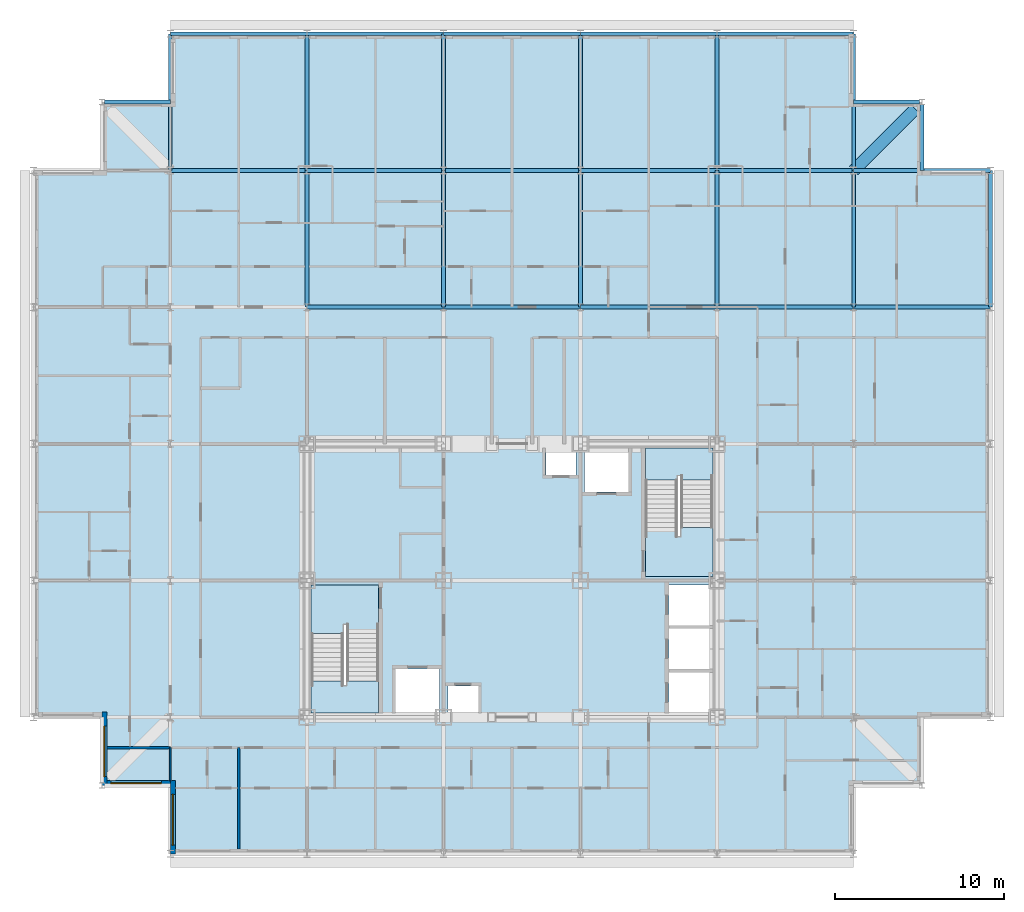
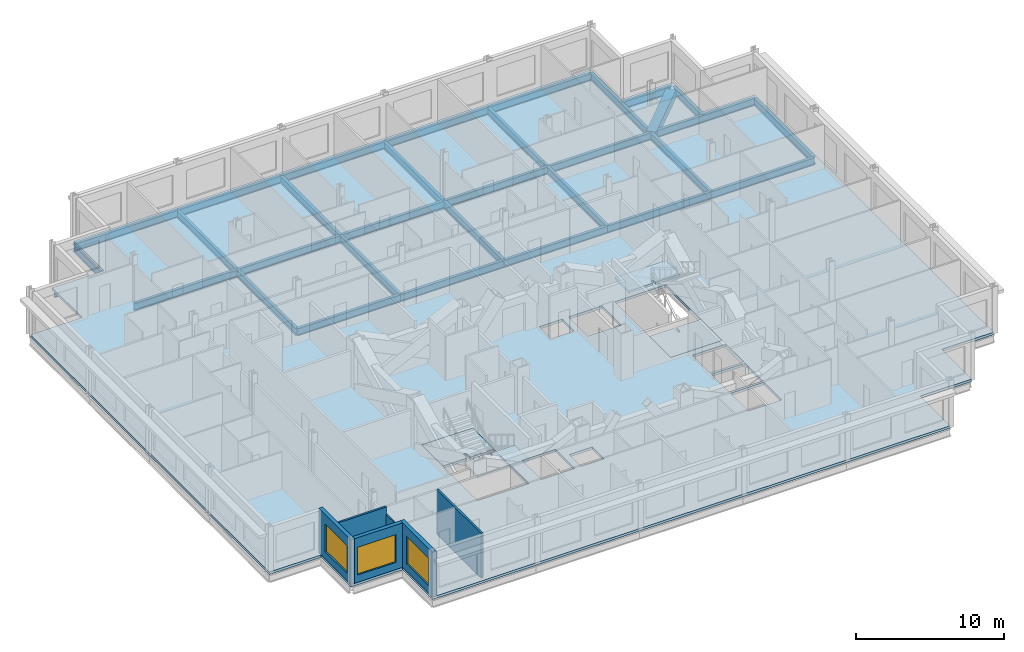
# One storey, part 6 of 16: 32 beams, 6 walls, 5 slabs, 3 windows, 3 openings, 2 elements without a shape of their own.
"""IFC4 building model written with IfcOpenShell, lengths in metres."""

from ifc_helpers import new_model, si_unit, direction, frame, frame_2d, origin, origin_2d, place, context, subcontext, project, spatial, polyline, rectangle, hollow_rectangle, i_section, outline, extrude, material, layer, layer_set, material_profile, profile_set, type_object, element, fill, aggregate, save


model = new_model("IFC4")

# Units and contexts
model_context = context("Model", 3, precision=1e-05, world=origin(), true_north=direction((0.0, 1.0)))
body_context = subcontext(model_context, "Body", "Model", "MODEL_VIEW")
ifc_project = project(units=[si_unit("LENGTHUNIT", "METRE"), si_unit("AREAUNIT", "SQUARE_METRE"), si_unit("VOLUMEUNIT", "CUBIC_METRE"), si_unit("PLANEANGLEUNIT", "RADIAN"), si_unit("MASSUNIT", "GRAM", prefix="KILO")], contexts=[model_context])

# Site, building, storey
site_placement = place(None, origin())
site = spatial("IfcSite", under=ifc_project, at=site_placement, CompositionType="ELEMENT")
building_placement = place(site_placement, origin())
building = spatial("IfcBuilding", under=site, at=building_placement, Name="Kopane Lantern Tower", CompositionType="ELEMENT")
storey_placement = place(building_placement, frame((0.0, 0.0, 261.89990234375)))
storey = spatial("IfcBuildingStorey", under=building, at=storey_placement, Name="L67", CompositionType="ELEMENT", Elevation=261.89990234375)

# Beams
ifc_material_1 = material(Name="Steel S355JR", Category="steel")
ifc_material_profile_1 = material_profile(ifc_material_1, hollow_rectangle(XDim=0.699951171875, YDim=0.699951171875, WallThickness=0.06005859375, at=origin_2d()), Name="BOX 700x700x60")
ifc_profile_set_1 = profile_set([ifc_material_profile_1], Name="Steel S355JR")
beam_type_1 = type_object("IfcBeamType", Name="CORNER TIE BEAM BOX 700x700x60", PredefinedType="BEAM", material=ifc_profile_set_1)
beam_1_placement = place(storey_placement, frame((52.25244140625, 60.3525390625, -0.559814453125), z_axis=(-0.707083148333, -0.70713041325, 0.0), x_axis=(0.70713041325, -0.707083148333, 0.0)))
element("IfcBeam", 1, at=beam_1_placement, inside=storey, type_object=beam_type_1, Name="Corner Tie Beam L67", PredefinedType="BEAM", context=body_context, shape_type="SweptSolid", body=[
    extrude(hollow_rectangle(XDim=0.699951171875, YDim=0.699951171875, WallThickness=0.06005859375, at=origin_2d()), origin(), (0.0, 0.0, 1.0), 5.165283203125),
])
ifc_material_2 = material(Name="Steel S355JR", Category="steel")
ifc_material_profile_2 = material_profile(ifc_material_2, i_section(OverallWidth=0.22900390625, OverallDepth=0.6123046875, WebThickness=0.011962890625, FlangeThickness=0.01953125, FilletRadius=0.0126953125, at=origin_2d()), Name="UB 610x229x125")
ifc_profile_set_2 = profile_set([ifc_material_profile_2], Name="Steel S355JR")
beam_type_2 = type_object("IfcBeamType", Name="EDGE BEAM UB 610x229x125", PredefinedType="BEAM", material=ifc_profile_set_2)
beam_2_placement = place(storey_placement, frame((4.20361328125, 60.75, -0.51611328125), z_axis=(1.0, 0.0, 0.0), x_axis=(0.0, 1.0, 0.0)))
element("IfcBeam", 2, at=beam_2_placement, inside=storey, type_object=beam_type_2, Name="Edge Beam L67", PredefinedType="BEAM", context=body_context, shape_type="SweptSolid", body=[
    extrude(i_section(OverallWidth=0.22900390625, OverallDepth=0.6123046875, WebThickness=0.011962890625, FlangeThickness=0.01953125, FilletRadius=0.0126953125, at=origin_2d()), origin(), (0.0, 0.0, 1.0), 3.896484375),
])
for number, where, z_axis, x_axis, name in (
    (3, (52.496337890625, 60.75, -0.51611328125), (-1.0, 0.0, 0.0), (0.0, -1.0, 0.0), "Edge Beam L67"),
    (4, (52.64990234375, 60.59619140625, -0.51611328125), (0.0, -1.0, 0.0), (1.0, 0.0, 0.0), "Edge Beam L67"),
):
    element("IfcBeam", number, at=place(storey_placement, frame(where, z_axis=z_axis, x_axis=x_axis)), inside=storey, type_object=beam_type_2, Name=name, PredefinedType="BEAM", context=body_context, shape_type="SweptSolid", body=[
        extrude(i_section(OverallWidth=0.22900390625, OverallDepth=0.6123046875, WebThickness=0.011962890625, FlangeThickness=0.01953125, FilletRadius=0.0126953125, at=origin_2d()), origin(), (0.0, 0.0, 1.0), 3.896240234375),
    ])
ifc_material_3 = material(Name="Steel S355JR", Category="steel")
ifc_material_profile_3 = material_profile(ifc_material_3, i_section(OverallWidth=0.22900390625, OverallDepth=0.6123046875, WebThickness=0.011962890625, FlangeThickness=0.01953125, FilletRadius=0.0126953125, at=origin_2d()), Name="UB 610x229x125")
ifc_profile_set_3 = profile_set([ifc_material_profile_3], Name="Steel S355JR")
beam_type_3 = type_object("IfcBeamType", Name="GIRDER UB 610x229x125", PredefinedType="BEAM", material=ifc_profile_set_3)
beam_3_placement = place(storey_placement, frame((8.10009765625, 56.699951171875, -0.51611328125), z_axis=(0.0, 1.0, 0.0), x_axis=(-1.0, 0.0, 0.0)))
element("IfcBeam", 5, at=beam_3_placement, inside=storey, type_object=beam_type_3, Name="Girder L67", PredefinedType="BEAM", context=body_context, shape_type="SweptSolid", body=[
    extrude(i_section(OverallWidth=0.22900390625, OverallDepth=0.6123046875, WebThickness=0.011962890625, FlangeThickness=0.01953125, FilletRadius=0.0126953125, at=origin_2d()), origin(), (0.0, 0.0, 1.0), 8.10009765625),
])
for number, where, z_axis, x_axis, name in (
    (6, (8.10009765625, 56.699951171875, -0.51611328125), (1.0, 0.0, 0.0), (0.0, 1.0, 0.0), "Girder L67"),
    (7, (8.10009765625, 64.800048828125, -0.51611328125), (1.0, 0.0, 0.0), (0.0, 1.0, 0.0), "Girder L67"),
    (8, (16.199951171875, 48.60009765625, -0.51611328125), (0.0, 1.0, 0.0), (-1.0, 0.0, 0.0), "Girder L67"),
):
    element("IfcBeam", number, at=place(storey_placement, frame(where, z_axis=z_axis, x_axis=x_axis)), inside=storey, type_object=beam_type_3, Name=name, PredefinedType="BEAM", context=body_context, shape_type="SweptSolid", body=[
        extrude(i_section(OverallWidth=0.22900390625, OverallDepth=0.6123046875, WebThickness=0.011962890625, FlangeThickness=0.01953125, FilletRadius=0.0126953125, at=origin_2d()), origin(), (0.0, 0.0, 1.0), 8.099853515625),
    ])
for number, where, z_axis, x_axis, name in (
    (9, (16.199951171875, 48.60009765625, -0.51611328125), (1.0, 0.0, 0.0), (0.0, 1.0, 0.0), "Girder L67"),
    (10, (16.199951171875, 56.699951171875, -0.51611328125), (0.0, 1.0, 0.0), (-1.0, 0.0, 0.0), "Girder L67"),
    (11, (16.199951171875, 56.699951171875, -0.51611328125), (1.0, 0.0, 0.0), (0.0, 1.0, 0.0), "Girder L67"),
    (12, (16.199951171875, 64.800048828125, -0.51611328125), (1.0, 0.0, 0.0), (0.0, 1.0, 0.0), "Girder L67"),
):
    element("IfcBeam", number, at=place(storey_placement, frame(where, z_axis=z_axis, x_axis=x_axis)), inside=storey, type_object=beam_type_3, Name=name, PredefinedType="BEAM", context=body_context, shape_type="SweptSolid", body=[
        extrude(i_section(OverallWidth=0.22900390625, OverallDepth=0.6123046875, WebThickness=0.011962890625, FlangeThickness=0.01953125, FilletRadius=0.0126953125, at=origin_2d()), origin(), (0.0, 0.0, 1.0), 8.10009765625),
    ])
for number, where, z_axis, x_axis, name in (
    (13, (24.300048828125, 48.60009765625, -0.51611328125), (0.0, 1.0, 0.0), (-1.0, 0.0, 0.0), "Girder L67"),
    (14, (24.300048828125, 48.60009765625, -0.51611328125), (1.0, 0.0, 0.0), (0.0, 1.0, 0.0), "Girder L67"),
):
    element("IfcBeam", number, at=place(storey_placement, frame(where, z_axis=z_axis, x_axis=x_axis)), inside=storey, type_object=beam_type_3, Name=name, PredefinedType="BEAM", context=body_context, shape_type="SweptSolid", body=[
        extrude(i_section(OverallWidth=0.22900390625, OverallDepth=0.6123046875, WebThickness=0.011962890625, FlangeThickness=0.01953125, FilletRadius=0.0126953125, at=origin_2d()), origin(), (0.0, 0.0, 1.0), 8.099853515625),
    ])
beam_4_placement = place(storey_placement, frame((24.300048828125, 56.699951171875, -0.51611328125), z_axis=(0.0, 1.0, 0.0), x_axis=(-1.0, 0.0, 0.0)))
element("IfcBeam", 15, at=beam_4_placement, inside=storey, type_object=beam_type_3, Name="Girder L67", PredefinedType="BEAM", context=body_context, shape_type="SweptSolid", body=[
    extrude(i_section(OverallWidth=0.22900390625, OverallDepth=0.6123046875, WebThickness=0.011962890625, FlangeThickness=0.01953125, FilletRadius=0.0126953125, at=origin_2d()), origin(), (0.0, 0.0, 1.0), 8.10009765625),
])
for number, where, z_axis, x_axis, name in (
    (16, (24.300048828125, 56.699951171875, -0.51611328125), (1.0, 0.0, 0.0), (0.0, 1.0, 0.0), "Girder L67"),
    (17, (24.300048828125, 64.800048828125, -0.51611328125), (1.0, 0.0, 0.0), (0.0, 1.0, 0.0), "Girder L67"),
    (18, (32.39990234375, 48.60009765625, -0.51611328125), (0.0, 1.0, 0.0), (-1.0, 0.0, 0.0), "Girder L67"),
):
    element("IfcBeam", number, at=place(storey_placement, frame(where, z_axis=z_axis, x_axis=x_axis)), inside=storey, type_object=beam_type_3, Name=name, PredefinedType="BEAM", context=body_context, shape_type="SweptSolid", body=[
        extrude(i_section(OverallWidth=0.22900390625, OverallDepth=0.6123046875, WebThickness=0.011962890625, FlangeThickness=0.01953125, FilletRadius=0.0126953125, at=origin_2d()), origin(), (0.0, 0.0, 1.0), 8.099853515625),
    ])
for number, where, z_axis, x_axis, name in (
    (19, (32.39990234375, 48.60009765625, -0.51611328125), (1.0, 0.0, 0.0), (0.0, 1.0, 0.0), "Girder L67"),
    (20, (32.39990234375, 56.699951171875, -0.51611328125), (0.0, 1.0, 0.0), (-1.0, 0.0, 0.0), "Girder L67"),
    (21, (32.39990234375, 56.699951171875, -0.51611328125), (1.0, 0.0, 0.0), (0.0, 1.0, 0.0), "Girder L67"),
    (22, (32.39990234375, 64.800048828125, -0.51611328125), (1.0, 0.0, 0.0), (0.0, 1.0, 0.0), "Girder L67"),
):
    element("IfcBeam", number, at=place(storey_placement, frame(where, z_axis=z_axis, x_axis=x_axis)), inside=storey, type_object=beam_type_3, Name=name, PredefinedType="BEAM", context=body_context, shape_type="SweptSolid", body=[
        extrude(i_section(OverallWidth=0.22900390625, OverallDepth=0.6123046875, WebThickness=0.011962890625, FlangeThickness=0.01953125, FilletRadius=0.0126953125, at=origin_2d()), origin(), (0.0, 0.0, 1.0), 8.10009765625),
    ])
beam_5_placement = place(storey_placement, frame((40.5, 48.60009765625, -0.51611328125), z_axis=(0.0, 1.0, 0.0), x_axis=(-1.0, 0.0, 0.0)))
element("IfcBeam", 23, at=beam_5_placement, inside=storey, type_object=beam_type_3, Name="Girder L67", PredefinedType="BEAM", context=body_context, shape_type="SweptSolid", body=[
    extrude(i_section(OverallWidth=0.22900390625, OverallDepth=0.6123046875, WebThickness=0.011962890625, FlangeThickness=0.01953125, FilletRadius=0.0126953125, at=origin_2d()), origin(), (0.0, 0.0, 1.0), 8.099853515625),
])
for number, where, z_axis, x_axis, name in (
    (24, (40.5, 48.60009765625, -0.51611328125), (1.0, 0.0, 0.0), (0.0, 1.0, 0.0), "Girder L67"),
    (25, (40.5, 56.699951171875, -0.51611328125), (0.0, 1.0, 0.0), (-1.0, 0.0, 0.0), "Girder L67"),
    (26, (40.5, 56.699951171875, -0.51611328125), (1.0, 0.0, 0.0), (0.0, 1.0, 0.0), "Girder L67"),
    (27, (40.5, 64.800048828125, -0.51611328125), (1.0, 0.0, 0.0), (0.0, 1.0, 0.0), "Girder L67"),
):
    element("IfcBeam", number, at=place(storey_placement, frame(where, z_axis=z_axis, x_axis=x_axis)), inside=storey, type_object=beam_type_3, Name=name, PredefinedType="BEAM", context=body_context, shape_type="SweptSolid", body=[
        extrude(i_section(OverallWidth=0.22900390625, OverallDepth=0.6123046875, WebThickness=0.011962890625, FlangeThickness=0.01953125, FilletRadius=0.0126953125, at=origin_2d()), origin(), (0.0, 0.0, 1.0), 8.10009765625),
    ])
for number, where, z_axis, x_axis, name in (
    (28, (48.60009765625, 48.60009765625, -0.51611328125), (0.0, 1.0, 0.0), (-1.0, 0.0, 0.0), "Girder L67"),
    (29, (48.60009765625, 48.60009765625, -0.51611328125), (1.0, 0.0, 0.0), (0.0, 1.0, 0.0), "Girder L67"),
):
    element("IfcBeam", number, at=place(storey_placement, frame(where, z_axis=z_axis, x_axis=x_axis)), inside=storey, type_object=beam_type_3, Name=name, PredefinedType="BEAM", context=body_context, shape_type="SweptSolid", body=[
        extrude(i_section(OverallWidth=0.22900390625, OverallDepth=0.6123046875, WebThickness=0.011962890625, FlangeThickness=0.01953125, FilletRadius=0.0126953125, at=origin_2d()), origin(), (0.0, 0.0, 1.0), 8.099853515625),
    ])
beam_6_placement = place(storey_placement, frame((48.60009765625, 56.699951171875, -0.51611328125), z_axis=(0.0, 1.0, 0.0), x_axis=(-1.0, 0.0, 0.0)))
element("IfcBeam", 30, at=beam_6_placement, inside=storey, type_object=beam_type_3, Name="Girder L67", PredefinedType="BEAM", context=body_context, shape_type="SweptSolid", body=[
    extrude(i_section(OverallWidth=0.22900390625, OverallDepth=0.6123046875, WebThickness=0.011962890625, FlangeThickness=0.01953125, FilletRadius=0.0126953125, at=origin_2d()), origin(), (0.0, 0.0, 1.0), 8.10009765625),
])
for number, where, z_axis, x_axis, name in (
    (31, (48.60009765625, 56.699951171875, -0.51611328125), (1.0, 0.0, 0.0), (0.0, 1.0, 0.0), "Girder L67"),
    (32, (56.699951171875, 48.60009765625, -0.51611328125), (0.0, 1.0, 0.0), (-1.0, 0.0, 0.0), "Girder L67"),
):
    element("IfcBeam", number, at=place(storey_placement, frame(where, z_axis=z_axis, x_axis=x_axis)), inside=storey, type_object=beam_type_3, Name=name, PredefinedType="BEAM", context=body_context, shape_type="SweptSolid", body=[
        extrude(i_section(OverallWidth=0.22900390625, OverallDepth=0.6123046875, WebThickness=0.011962890625, FlangeThickness=0.01953125, FilletRadius=0.0126953125, at=origin_2d()), origin(), (0.0, 0.0, 1.0), 8.099853515625),
    ])

# Slab
ifc_material_4 = material(Name="Concrete C40/50", Category="concrete")
ifc_layer_1 = layer(ifc_material_4, 0.2099609375)
ifc_layer_set_1 = layer_set([ifc_layer_1], Name="SLAB 210 COMPOSITE")
slab_type_1 = type_object("IfcSlabType", Name="SLAB 210 COMPOSITE", PredefinedType="FLOOR", material=ifc_layer_set_1)
slab_1_placement = place(storey_placement, frame((0.0, 0.0, -0.2099609375)))
element("IfcSlab", 33, at=slab_1_placement, inside=storey, type_object=slab_type_1, Name="Floor slab L67", PredefinedType="FLOOR", context=body_context, shape_type="SweptSolid", body=[
    extrude(outline(polyline([(8.10009765625, 16.199951171875), (48.60009765625, 16.199951171875), (48.60009765625, 20.25), (52.64990234375, 20.25), (52.64990234375, 24.300048828125), (56.699951171875, 24.300048828125), (56.699951171875, 56.699951171875), (52.64990234375, 56.699951171875), (52.64990234375, 60.75), (48.60009765625, 60.75), (48.60009765625, 64.800048828125), (8.10009765625, 64.800048828125), (8.10009765625, 60.75), (4.050048828125, 60.75), (4.050048828125, 56.699951171875), (0.0, 56.699951171875), (0.0, 24.300048828125), (4.050048828125, 24.300048828125), (4.050048828125, 20.25), (8.10009765625, 20.25), (8.10009765625, 16.199951171875)]), holes=[polyline([(16.449951171875, 24.550048828125), (20.449951171875, 24.550048828125), (20.449951171875, 32.14990234375), (16.449951171875, 32.14990234375), (16.449951171875, 24.550048828125)]), polyline([(36.25, 32.64990234375), (40.25, 32.64990234375), (40.25, 40.25), (36.25, 40.25), (36.25, 32.64990234375)]), polyline([(37.64990234375, 24.550048828125), (40.25, 24.550048828125), (40.25, 26.949951171875), (37.64990234375, 26.949951171875), (37.64990234375, 24.550048828125)]), polyline([(37.64990234375, 27.14990234375), (40.25, 27.14990234375), (40.25, 29.550048828125), (37.64990234375, 29.550048828125), (37.64990234375, 27.14990234375)]), polyline([(37.64990234375, 29.75), (40.25, 29.75), (40.25, 32.14990234375), (37.64990234375, 32.14990234375), (37.64990234375, 29.75)]), polyline([(21.449951171875, 24.550048828125), (24.050048828125, 24.550048828125), (24.050048828125, 27.14990234375), (21.449951171875, 27.14990234375), (21.449951171875, 24.550048828125)]), polyline([(32.64990234375, 37.64990234375), (35.25, 37.64990234375), (35.25, 40.25), (32.64990234375, 40.25), (32.64990234375, 37.64990234375)]), polyline([(24.550048828125, 24.550048828125), (26.35009765625, 24.550048828125), (26.35009765625, 26.14990234375), (24.550048828125, 26.14990234375), (24.550048828125, 24.550048828125)]), polyline([(30.35009765625, 38.64990234375), (32.14990234375, 38.64990234375), (32.14990234375, 40.25), (30.35009765625, 40.25), (30.35009765625, 38.64990234375)])]), origin(), (0.0, 0.0, 1.0), 0.2099609375),
])

# Stair, slabs
ifc_material_5 = material(Name="Steel S355JR", Category="steel")
stair_type = type_object("IfcStairType", Name="EXIT STAIR 1900 HALF TURN", PredefinedType="HALF_TURN_STAIR", material=ifc_material_5)
stair_1_placement = place(storey_placement, origin())
stair_1 = element("IfcStair", 34, at=stair_1_placement, inside=storey, type_object=stair_type, Name="Exit stair ST1 L67", PredefinedType="HALF_TURN_STAIR")
ifc_material_6 = material(Name="Concrete C40/50", Category="concrete")
ifc_layer_2 = layer(ifc_material_6, 0.199951171875)
ifc_layer_set_2 = layer_set([ifc_layer_2], Name="STAIR LANDING 200")
slab_type_2 = type_object("IfcSlabType", Name="STAIR LANDING 200", PredefinedType="LANDING", material=ifc_layer_set_2)
slab_2_placement = place(storey_placement, frame((0.0, 0.0, -0.199951171875)))
slab_2 = element("IfcSlab", 35, at=slab_2_placement, type_object=slab_type_2, Name="ST1 landing 1", PredefinedType="LANDING", context=body_context, shape_type="SweptSolid", body=[
    extrude(outline(polyline([(18.35009765625, 29.81005859375), (18.550048828125, 29.81005859375), (18.550048828125, 29.25), (20.449951171875, 29.25), (20.449951171875, 32.14990234375), (16.449951171875, 32.14990234375), (16.449951171875, 29.25), (18.35009765625, 29.25), (18.35009765625, 29.81005859375)])), origin(), (0.0, 0.0, 1.0), 0.199951171875),
])
slab_3_placement = place(storey_placement, frame((0.0, 0.0, 1.8349609375)))
slab_3 = element("IfcSlab", 36, at=slab_3_placement, type_object=slab_type_2, Name="ST1 landing 2", PredefinedType="LANDING", context=body_context, shape_type="SweptSolid", body=[
    extrude(outline(polyline([(20.449951171875, 26.449951171875), (18.550048828125, 26.449951171875), (18.550048828125, 26.169921875), (18.35009765625, 26.169921875), (18.35009765625, 26.449951171875), (16.449951171875, 26.449951171875), (16.449951171875, 24.550048828125), (20.449951171875, 24.550048828125), (20.449951171875, 26.449951171875)])), origin(), (0.0, 0.0, 1.0), 0.199951171875),
])
aggregate(stair_1, [slab_2, slab_3])

stair_2_placement = place(storey_placement, origin())
stair_2 = element("IfcStair", 37, at=stair_2_placement, inside=storey, type_object=stair_type, Name="Exit stair ST2 L67", PredefinedType="HALF_TURN_STAIR")
slab_4_placement = place(storey_placement, frame((0.0, 0.0, -0.199951171875)))
slab_4 = element("IfcSlab", 38, at=slab_4_placement, type_object=slab_type_2, Name="ST2 landing 1", PredefinedType="LANDING", context=body_context, shape_type="SweptSolid", body=[
    extrude(outline(polyline([(40.25, 35.550048828125), (38.35009765625, 35.550048828125), (38.35009765625, 34.989990234375), (38.14990234375, 34.989990234375), (38.14990234375, 35.550048828125), (36.25, 35.550048828125), (36.25, 32.64990234375), (40.25, 32.64990234375), (40.25, 35.550048828125)])), origin(), (0.0, 0.0, 1.0), 0.199951171875),
])
slab_5_placement = place(storey_placement, frame((0.0, 0.0, 1.8349609375)))
slab_5 = element("IfcSlab", 39, at=slab_5_placement, type_object=slab_type_2, Name="ST2 landing 2", PredefinedType="LANDING", context=body_context, shape_type="SweptSolid", body=[
    extrude(outline(polyline([(38.14990234375, 38.6298828125), (38.35009765625, 38.6298828125), (38.35009765625, 38.35009765625), (40.25, 38.35009765625), (40.25, 40.25), (36.25, 40.25), (36.25, 38.35009765625), (38.14990234375, 38.35009765625), (38.14990234375, 38.6298828125)])), origin(), (0.0, 0.0, 1.0), 0.199951171875),
])
aggregate(stair_2, [slab_4, slab_5])

# Walls
ifc_material_7 = material(Name="Moisture-resistant board on steel studs", Category="steel")
ifc_layer_3 = layer(ifc_material_7, 0.10009765625)
ifc_layer_set_3 = layer_set([ifc_layer_3], Name="BATHROOM WALL 100")
wall_type_1 = type_object("IfcWallType", Name="BATHROOM WALL 100", PredefinedType="PARTITIONING", material=ifc_layer_set_3)
wall_1_placement = place(storey_placement, frame((8.10009765625, 22.5, 0.0), z_axis=(0.0, 0.0, 1.0), x_axis=(0.0, -1.0, 0.0)))
element("IfcWall", 40, at=wall_1_placement, inside=storey, type_object=wall_type_1, Name="Bathroom Wall 100 L67", PredefinedType="PARTITIONING", context=body_context, shape_type="SweptSolid", body=[
    extrude(rectangle(XDim=1.949951171875, YDim=0.10009765625, at=frame_2d((0.97509765625, 0.0))), origin(), (0.0, 0.0, 1.0), 3.077880859375),
])
ifc_material_8 = material(Name="Gypsum board on steel studs", Category="steel")
ifc_layer_4 = layer(ifc_material_8, 0.14990234375)
ifc_layer_set_4 = layer_set([ifc_layer_4], Name="DEMISING WALL 150 EI 60")
wall_type_2 = type_object("IfcWallType", Name="DEMISING WALL 150 EI 60", PredefinedType="PARTITIONING", material=ifc_layer_set_4)
wall_2_placement = place(storey_placement, frame((4.35009765625, 22.5, 0.0), z_axis=(0.0, 0.0, 1.0), x_axis=(1.0, 0.0, 0.0)))
element("IfcWall", 41, at=wall_2_placement, inside=storey, type_object=wall_type_2, Name="Demising Wall 150 Ei 60 L67", PredefinedType="PARTITIONING", context=body_context, shape_type="SweptSolid", body=[
    extrude(rectangle(XDim=3.75, YDim=0.14990234375, at=frame_2d((1.875, 0.0))), origin(), (0.0, 0.0, 1.0), 3.690185546875),
])
wall_3_placement = place(storey_placement, frame((12.14990234375, 22.5, 0.0), z_axis=(0.0, 0.0, 1.0), x_axis=(0.0, -1.0, 0.0)))
element("IfcWall", 42, at=wall_3_placement, inside=storey, type_object=wall_type_2, Name="Demising Wall 150 Ei 60 L67", PredefinedType="PARTITIONING", context=body_context, shape_type="SweptSolid", body=[
    extrude(rectangle(XDim=6.0, YDim=0.14990234375, at=frame_2d((3.0, 0.0))), origin(), (0.0, 0.0, 1.0), 3.690185546875),
])

# Wall, opening, window
ifc_material_9 = material(Name="Terracotta rainscreen on light steel framing", Category="masonry")
ifc_layer_5 = layer(ifc_material_9, 0.300048828125)
ifc_layer_set_5 = layer_set([ifc_layer_5], Name="EXTERNAL WALL EW1 300 TERRACOTTA")
wall_type_3 = type_object("IfcWallType", Name="EXTERNAL WALL EW1 300 TERRACOTTA", PredefinedType="SOLIDWALL", material=ifc_layer_set_5)
wall_4_placement = place(storey_placement, frame((4.199951171875, 24.60009765625, 0.0), z_axis=(0.0, 0.0, 1.0), x_axis=(0.0, -1.0, 0.0)))
wall_4 = element("IfcWall", 43, at=wall_4_placement, inside=storey, type_object=wall_type_3, Name="External wall W L67", PredefinedType="SOLIDWALL", context=body_context, shape_type="SweptSolid", body=[
    extrude(rectangle(XDim=4.35009765625, YDim=0.300048828125, at=frame_2d((2.175048828125, 0.0))), origin(), (0.0, 0.0, 1.0), 3.690185546875),
])
opening_1_placement = place(wall_4_placement, frame((0.824951171875, 0.0, 0.60009765625)))
opening_1 = element("IfcOpeningElement", 44, at=opening_1_placement, cuts=wall_4, Name="Opening WR300230", PredefinedType="OPENING", context=body_context, shape_type="SweptSolid", body=[
    extrude(rectangle(XDim=3.0, YDim=2.300048828125, at=frame_2d((1.5, 1.14990234375))), frame((0.0, 0.159912109375, 0.0), z_axis=(0.0, -1.0, 0.0), x_axis=(1.0, 0.0, 0.0)), (0.0, 0.0, 1.0), 0.320068359375),
])
ifc_material_10 = material(Name="Aluminium and clear glass", Category="aluminium")
window_type = type_object("IfcWindowType", Name="RIBBON WINDOW WR300230 3000x2300", PartitioningType="SINGLE_PANEL", PredefinedType="WINDOW", material=ifc_material_10)
window_1_placement = place(opening_1_placement, origin())
window_1 = element("IfcWindow", 45, at=window_1_placement, inside=storey, type_object=window_type, Name="Window W L67", OverallHeight=2.300048828125, OverallWidth=3.0, PartitioningType="SINGLE_PANEL", PredefinedType="WINDOW", context=body_context, shape_type="SweptSolid", body=[
    extrude(rectangle(XDim=3.0, YDim=2.300048828125, at=frame_2d((1.5, 1.14990234375))), frame((0.0, 0.030029296875, 0.0), z_axis=(0.0, -1.0, 0.0), x_axis=(1.0, 0.0, 0.0)), (0.0, 0.0, 1.0), 0.06005859375),
])
fill(opening_1, window_1)

wall_5_placement = place(storey_placement, frame((4.35009765625, 20.39990234375, 0.0), z_axis=(0.0, 0.0, 1.0), x_axis=(1.0, 0.0, 0.0)))
wall_5 = element("IfcWall", 46, at=wall_5_placement, inside=storey, type_object=wall_type_3, Name="External wall S L67", PredefinedType="SOLIDWALL", context=body_context, shape_type="SweptSolid", body=[
    extrude(rectangle(XDim=3.75, YDim=0.300048828125, at=frame_2d((1.875, 0.0))), origin(), (0.0, 0.0, 1.0), 3.690185546875),
])
opening_2_placement = place(wall_5_placement, frame((0.22509765625, 0.0, 0.60009765625)))
opening_2 = element("IfcOpeningElement", 47, at=opening_2_placement, cuts=wall_5, Name="Opening WR300230", PredefinedType="OPENING", context=body_context, shape_type="SweptSolid", body=[
    extrude(rectangle(XDim=3.0, YDim=2.300048828125, at=frame_2d((1.5, 1.14990234375))), frame((0.0, 0.159912109375, 0.0), z_axis=(0.0, -1.0, 0.0), x_axis=(1.0, 0.0, 0.0)), (0.0, 0.0, 1.0), 0.320068359375),
])
window_2_placement = place(opening_2_placement, origin())
window_2 = element("IfcWindow", 48, at=window_2_placement, inside=storey, type_object=window_type, Name="Window S L67", OverallHeight=2.300048828125, OverallWidth=3.0, PartitioningType="SINGLE_PANEL", PredefinedType="WINDOW", context=body_context, shape_type="SweptSolid", body=[
    extrude(rectangle(XDim=3.0, YDim=2.300048828125, at=frame_2d((1.5, 1.14990234375))), frame((0.0, 0.030029296875, 0.0), z_axis=(0.0, -1.0, 0.0), x_axis=(1.0, 0.0, 0.0)), (0.0, 0.0, 1.0), 0.06005859375),
])
fill(opening_2, window_2)

wall_6_placement = place(storey_placement, frame((8.25, 20.550048828125, 0.0), z_axis=(0.0, 0.0, 1.0), x_axis=(0.0, -1.0, 0.0)))
wall_6 = element("IfcWall", 49, at=wall_6_placement, inside=storey, type_object=wall_type_3, Name="External wall W L67", PredefinedType="SOLIDWALL", context=body_context, shape_type="SweptSolid", body=[
    extrude(rectangle(XDim=4.35009765625, YDim=0.300048828125, at=frame_2d((2.175048828125, 0.0))), origin(), (0.0, 0.0, 1.0), 3.690185546875),
])
opening_3_placement = place(wall_6_placement, frame((0.824951171875, 0.0, 0.60009765625)))
opening_3 = element("IfcOpeningElement", 50, at=opening_3_placement, cuts=wall_6, Name="Opening WR300230", PredefinedType="OPENING", context=body_context, shape_type="SweptSolid", body=[
    extrude(rectangle(XDim=3.0, YDim=2.300048828125, at=frame_2d((1.5, 1.14990234375))), frame((0.0, 0.159912109375, 0.0), z_axis=(0.0, -1.0, 0.0), x_axis=(1.0, 0.0, 0.0)), (0.0, 0.0, 1.0), 0.320068359375),
])
window_3_placement = place(opening_3_placement, origin())
window_3 = element("IfcWindow", 51, at=window_3_placement, inside=storey, type_object=window_type, Name="Window W L67", OverallHeight=2.300048828125, OverallWidth=3.0, PartitioningType="SINGLE_PANEL", PredefinedType="WINDOW", context=body_context, shape_type="SweptSolid", body=[
    extrude(rectangle(XDim=3.0, YDim=2.300048828125, at=frame_2d((1.5, 1.14990234375))), frame((0.0, 0.030029296875, 0.0), z_axis=(0.0, -1.0, 0.0), x_axis=(1.0, 0.0, 0.0)), (0.0, 0.0, 1.0), 0.06005859375),
])
fill(opening_3, window_3)

save(model, "model.ifc")
